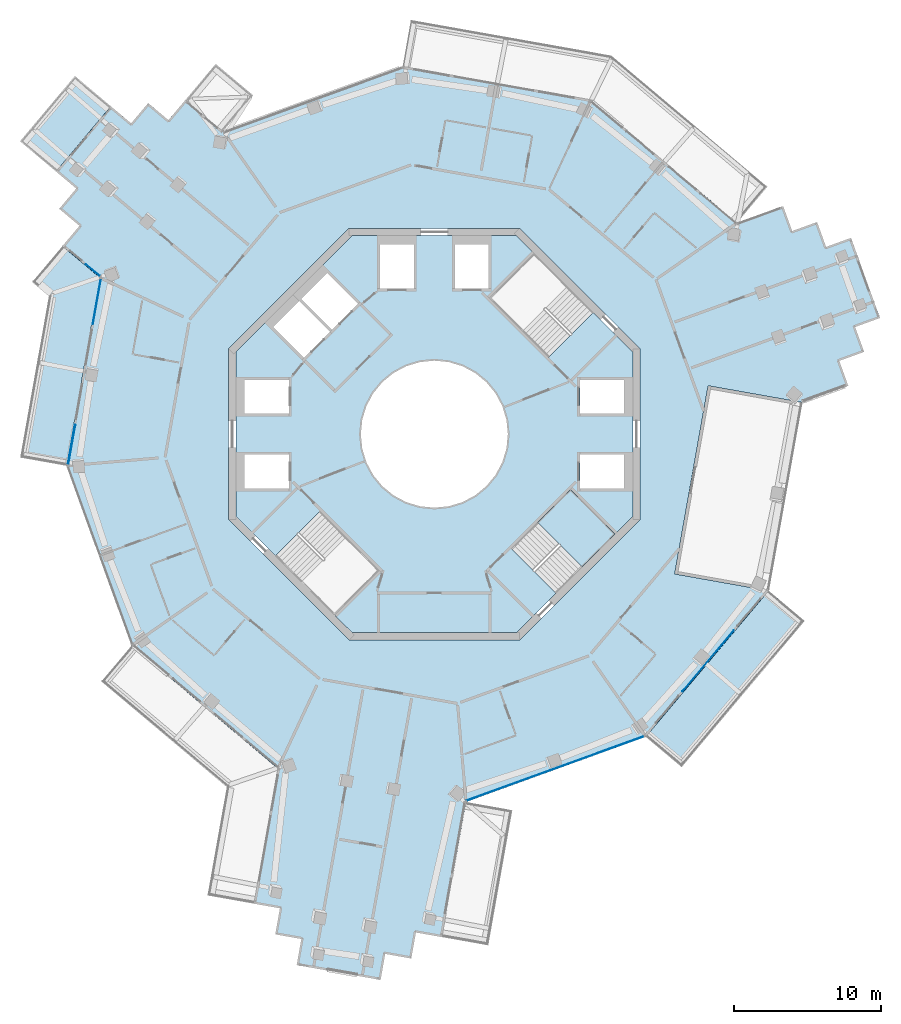
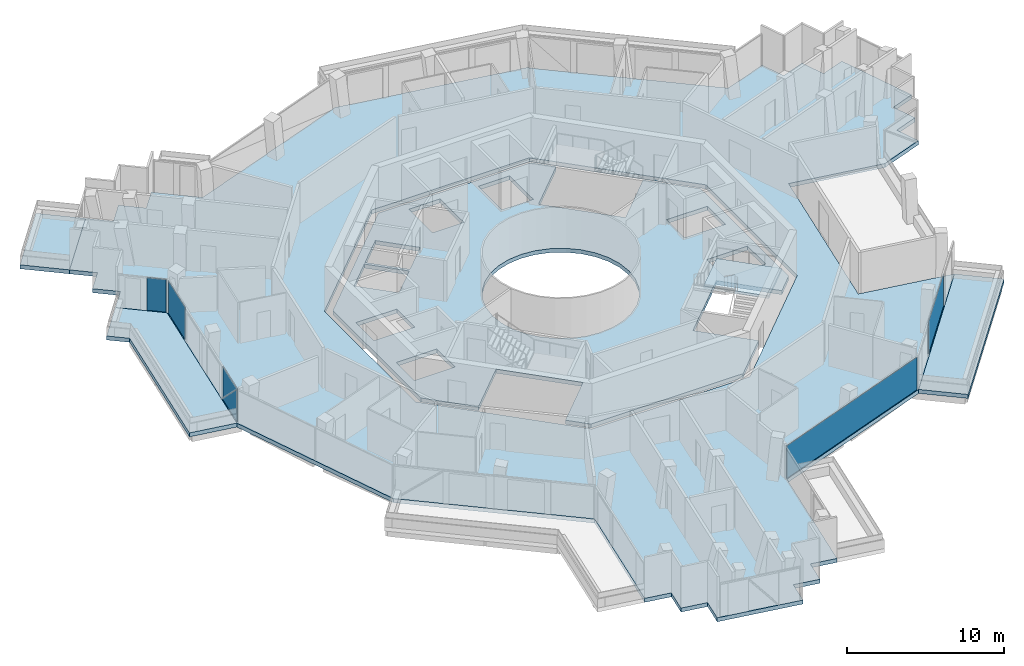
# One storey, part 11 of 22: 6 plates, 6 slabs, 5 elements without a shape of their own.
"""IFC4 building model written with IfcOpenShell, lengths in metres."""

import ifcopenshell
import ifcopenshell.guid

model = None  # the IFC model being written
_history = None  # IfcOwnerHistory: only IFC2X3 demands one
_inside = {}  # id of a spatial element -> (the spatial element, [elements in it])
_under = {}  # id of a project, library or spatial element -> (it, [spatial elements below it])
_declared = {}  # id of a project -> (the project, [libraries it declares])
_typed = {}  # id of a type object -> (the type object, [elements of that type])
_made_of = {}  # id of a material, layer set ... -> (it, [elements and type objects made of it])


def new_model(schema):
    """Start an empty IFC model of exactly this schema.

    Asked for "IFC4X3", IfcOpenShell would pick the latest addendum, in which some entities
    have other attributes; the version numbers below select the first issue.
    IFC2X3 requires an IfcOwnerHistory on every rooted entity: one is made here for all.
    """
    global model, _history
    if schema == "IFC4X3":
        model = ifcopenshell.file(schema_version=(4, 3, 0, 0))
    else:
        model = ifcopenshell.file(schema=schema)
    _inside.clear()
    _under.clear()
    _declared.clear()
    _typed.clear()
    _made_of.clear()
    _history = None
    if model.schema == "IFC2X3":
        org = make("IfcOrganization", Name="unknown")
        user = make(
            "IfcPersonAndOrganization",
            ThePerson=make("IfcPerson", FamilyName="unknown"),
            TheOrganization=org,
        )
        app = make(
            "IfcApplication",
            ApplicationDeveloper=org,
            Version="unknown",
            ApplicationFullName="unknown",
            ApplicationIdentifier="unknown",
        )
        _history = make(
            "IfcOwnerHistory",
            OwningUser=user,
            OwningApplication=app,
            ChangeAction="ADDED",
            CreationDate=0,
        )
    return model


def make(cls, **values):
    """One entity of the class cls with the attributes given. An attribute that is None is left unset."""
    return model.create_entity(
        cls, **{name: value for name, value in values.items() if value is not None}
    )


def rooted(cls, **values):
    """An entity with a GlobalId (a new one), such as an element, a storey or a relation."""
    return make(cls, GlobalId=ifcopenshell.guid.new(), OwnerHistory=_history, **values)


def si_unit(unit_type, name, prefix=None):
    """IfcSIUnit, for example si_unit("LENGTHUNIT", "METRE", prefix="MILLI")."""
    return make("IfcSIUnit", UnitType=unit_type, Prefix=prefix, Name=name)


def assignment(units):
    """IfcUnitAssignment: the units of a project."""
    return None if units is None else make("IfcUnitAssignment", Units=units)


def point(xyz):
    """IfcCartesianPoint."""
    return None if xyz is None else make("IfcCartesianPoint", Coordinates=xyz)


def direction(xyz):
    """IfcDirection."""
    return None if xyz is None else make("IfcDirection", DirectionRatios=xyz)


def frame(location, z_axis=None, x_axis=None):
    """IfcAxis2Placement3D, a coordinate frame: its origin and axes. An axis left out is left unset."""
    return make(
        "IfcAxis2Placement3D",
        Location=point(location),
        Axis=direction(z_axis),
        RefDirection=direction(x_axis),
    )


def frame_2d(location, x_axis=None):
    """IfcAxis2Placement2D, a coordinate frame in the plane: its origin and x axis."""
    return make(
        "IfcAxis2Placement2D", Location=point(location), RefDirection=direction(x_axis)
    )


def origin():
    """The frame at (0, 0, 0) with its axes left unset."""
    return frame((0.0, 0.0, 0.0))


def origin_2d():
    """The frame at (0, 0) in the plane with its x axis left unset."""
    return frame_2d((0.0, 0.0))


def place(relative_to, where):
    """IfcLocalPlacement: puts the frame where relative to a parent placement (None: the world)."""
    return make(
        "IfcLocalPlacement", PlacementRelTo=relative_to, RelativePlacement=where
    )


def context(
    kind, dimensions, precision=None, world=None, true_north=None, identifier=None
):
    """IfcGeometricRepresentationContext, for example the 3D "Model" context."""
    return make(
        "IfcGeometricRepresentationContext",
        ContextIdentifier=identifier,
        ContextType=kind,
        CoordinateSpaceDimension=dimensions,
        Precision=precision,
        WorldCoordinateSystem=world,
        TrueNorth=true_north,
    )


def subcontext(parent, identifier, kind, view, scale=None):
    """IfcGeometricRepresentationSubContext, for example "Body" below "Model"."""
    return make(
        "IfcGeometricRepresentationSubContext",
        ContextIdentifier=identifier,
        ContextType=kind,
        ParentContext=parent,
        TargetScale=scale,
        TargetView=view,
    )


def project(units=None, contexts=None):
    """IfcProject with its units and contexts."""
    return rooted(
        "IfcProject",
        Name="project",
        RepresentationContexts=contexts,
        UnitsInContext=assignment(units),
    )


def spatial(cls, under=None, at=None, **own):
    """A site, building, storey or space (cls), placed at a placement, below another one or the project."""
    s = rooted(cls, ObjectPlacement=at, **own)
    if under is not None:
        _under.setdefault(under.id(), (under, []))[1].append(s)
    return s


def polyline(points):
    """IfcPolyline through the points."""
    return make("IfcPolyline", Points=[point(p) for p in points])


def profile(cls, at=None, kind="AREA", **sizes):
    """A parametric profile (cls). Its sizes go by their IFC names, for example OverallWidth=200.0."""
    return make(cls, ProfileType=kind, Position=at, **sizes)


def rectangle(**sizes):
    """IfcRectangleProfileDef."""
    return profile("IfcRectangleProfileDef", **sizes)


def outline(outer, holes=None, kind="AREA"):
    """IfcArbitraryClosedProfileDef: a profile drawn as a closed curve; with holes, ...WithVoids."""
    if holes is None:
        return make("IfcArbitraryClosedProfileDef", ProfileType=kind, OuterCurve=outer)
    return make(
        "IfcArbitraryProfileDefWithVoids",
        ProfileType=kind,
        OuterCurve=outer,
        InnerCurves=holes,
    )


def extrude(swept, where, along, depth):
    """IfcExtrudedAreaSolid: the profile swept, set in the frame where, extruded along a direction by depth."""
    return make(
        "IfcExtrudedAreaSolid",
        SweptArea=swept,
        Position=where,
        ExtrudedDirection=direction(along),
        Depth=depth,
    )


def shape(context_of_items, identifier, shape_type, items):
    """IfcShapeRepresentation: the items that make up one representation, for example the "Body"."""
    return make(
        "IfcShapeRepresentation",
        ContextOfItems=context_of_items,
        RepresentationIdentifier=identifier,
        RepresentationType=shape_type,
        Items=items,
    )


def material(Name=None, Category=None):
    """IfcMaterial."""
    return make("IfcMaterial", Name=Name, Category=Category)


def layer(
    of_material, thickness, ventilated=None, Name=None, Category=None, Priority=None
):
    """IfcMaterialLayer: one layer of a wall or slab, of a material (None: an air gap)."""
    return make(
        "IfcMaterialLayer",
        Material=of_material,
        LayerThickness=thickness,
        IsVentilated=ventilated,
        Name=Name,
        Category=Category,
        Priority=Priority,
    )


def layer_set(layers, Name=None):
    """IfcMaterialLayerSet."""
    return make("IfcMaterialLayerSet", MaterialLayers=layers, LayerSetName=Name)


def made_of(thing, what):
    """Note that an element or type object is made of a material, layer set ...; save() writes the relation."""
    if what is not None:
        _made_of.setdefault(what.id(), (what, []))[1].append(thing)
    return thing


def type_object(cls, material=None, **own):
    """A type object (cls), such as IfcWallType, which elements share."""
    return made_of(rooted(cls, **own), material)


def element(
    cls,
    number,
    at=None,
    inside=None,
    cuts=None,
    type_object=None,
    material=None,
    context=None,
    identifier="Body",
    shape_type=None,
    held_by="IfcProductDefinitionShape",
    body=None,
    shapes=None,
    **own,
):
    """One element of the class cls, such as IfcWall. Its Tag is "e" and its number.

    at: its placement. inside: the storey or other place that contains it. cuts: it is an
    opening in that element (IfcRelVoidsElement). A single representation is given by context,
    identifier, shape_type and body (its items); several are given by shapes. held_by: the class
    of the entity that holds the representations. save() writes the other relations.
    """
    e = rooted(cls, Tag="e%d" % number, ObjectPlacement=at, **own)
    if body is not None:
        shapes = [shape(context, identifier, shape_type, body)]
    if shapes is not None:
        e.Representation = make(held_by, Representations=shapes)
    if inside is not None:
        _inside.setdefault(inside.id(), (inside, []))[1].append(e)
    if cuts is not None:
        rooted(
            "IfcRelVoidsElement", RelatingBuildingElement=cuts, RelatedOpeningElement=e
        )
    if type_object is not None:
        _typed.setdefault(type_object.id(), (type_object, []))[1].append(e)
    return made_of(e, material)


def aggregate(whole, parts):
    """IfcRelAggregates: a whole, such as a stair, and the parts it consists of."""
    return rooted("IfcRelAggregates", RelatingObject=whole, RelatedObjects=parts)


def save(model, path):
    """Write the relations noted so far, then the file.

    IfcRelAggregates (storeys below a building ...), IfcRelContainedInSpatialStructure (elements
    in a storey), IfcRelDefinesByType, IfcRelAssociatesMaterial and IfcRelDeclares: one each for
    every whole, place, type object, material and project.
    """
    for whole, parts in _under.values():
        aggregate(whole, parts)
    for where, things in _inside.values():
        rooted(
            "IfcRelContainedInSpatialStructure",
            RelatedElements=things,
            RelatingStructure=where,
        )
    for kind, things in _typed.values():
        rooted("IfcRelDefinesByType", RelatedObjects=things, RelatingType=kind)
    for what, things in _made_of.values():
        rooted("IfcRelAssociatesMaterial", RelatedObjects=things, RelatingMaterial=what)
    for by, libraries in _declared.values():
        rooted("IfcRelDeclares", RelatingContext=by, RelatedDefinitions=libraries)
    model.write(path)


model = new_model("IFC4")

# Units and contexts
model_context = context("Model", 3, precision=1e-05, world=origin(), true_north=direction((0.0, 1.0)))
body_context = subcontext(model_context, "Body", "Model", "MODEL_VIEW")
ifc_project = project(units=[si_unit("LENGTHUNIT", "METRE"), si_unit("AREAUNIT", "SQUARE_METRE"), si_unit("VOLUMEUNIT", "CUBIC_METRE"), si_unit("PLANEANGLEUNIT", "RADIAN"), si_unit("MASSUNIT", "GRAM", prefix="KILO")], contexts=[model_context])

# Site, building, storey
site_placement = place(None, origin())
site = spatial("IfcSite", under=ifc_project, at=site_placement, CompositionType="ELEMENT")
building_placement = place(site_placement, origin())
building = spatial("IfcBuilding", under=site, at=building_placement, Name="Verdalira Terraces Hotel", CompositionType="ELEMENT")
storey_placement = place(building_placement, frame((0.0, 0.0, 237.5)))
storey = spatial("IfcBuildingStorey", under=building, at=storey_placement, Name="L58", CompositionType="ELEMENT", Elevation=237.5)

# Slabs
ifc_material_1 = material(Name="Precast concrete C40/50", Category="concrete")
ifc_layer_1 = layer(ifc_material_1, 0.31005859375)
ifc_layer_set_1 = layer_set([ifc_layer_1], Name="Balcony deck 310")
slab_type_1 = type_object("IfcSlabType", Name="Balcony deck 310", PredefinedType="FLOOR", material=ifc_layer_set_1)
slab_1_placement = place(storey_placement, frame((0.0, 0.0, -0.310059)))
element("IfcSlab", 1, at=slab_1_placement, inside=storey, type_object=slab_type_1, Name="Balcony deck", PredefinedType="FLOOR", context=body_context, shape_type="SweptSolid", body=[
    extrude(outline(polyline([(-28.184082, 19.92627), (-25.735596, 17.865967), (-22.001221, 22.303711), (-24.449707, 24.364014), (-28.184082, 19.92627)])), origin(), (0.0, 0.0, 1.0), 0.310059),
])
slab_2_placement = place(storey_placement, frame((0.0, 0.0, -0.310059)))
element("IfcSlab", 2, at=slab_2_placement, inside=storey, type_object=slab_type_1, Name="Balcony deck", PredefinedType="FLOOR", context=body_context, shape_type="SweptSolid", body=[
    extrude(outline(polyline([(-26.220215, 9.386475), (-28.172119, -1.59375), (-25.021484, -2.153809), (-22.746338, 10.645508), (-25.299072, 12.793457), (-27.359375, 10.344971), (-26.220215, 9.386475)])), origin(), (0.0, 0.0, 1.0), 0.310059),
])
slab_3_placement = place(storey_placement, frame((0.0, 0.0, -0.310059)))
element("IfcSlab", 3, at=slab_3_placement, inside=storey, type_object=slab_type_1, Name="Balcony deck", PredefinedType="FLOOR", context=body_context, shape_type="SweptSolid", body=[
    extrude(outline(polyline([(25.194824, -12.705811), (22.746338, -10.645508), (14.376221, -20.592285), (16.824463, -22.652588), (25.194824, -12.705811)])), origin(), (0.0, 0.0, 1.0), 0.310059),
])

# Curtain wall, plates
ifc_material_2 = material(Name="Clear glass", Category="glass")
ifc_layer_2 = layer(ifc_material_2, 0.14990234375)
ifc_layer_set_2 = layer_set([ifc_layer_2], Name="CW1 curtain wall")
curtain_wall_type_1 = type_object("IfcCurtainWallType", Name="CW1 curtain wall", PredefinedType="NOTDEFINED", material=ifc_layer_set_2)
curtain_wall_1_placement = place(storey_placement, origin())
curtain_wall_1 = element("IfcCurtainWall", 4, at=curtain_wall_1_placement, inside=storey, type_object=curtain_wall_type_1, Name="CW1 curtain wall L58 edge 11", PredefinedType="NOTDEFINED")
ifc_material_3 = material(Name="Clear glass", Category="glass")
ifc_layer_3 = layer(ifc_material_3, 0.028076171875)
ifc_layer_set_3 = layer_set([ifc_layer_3], Name="CW1 glass unit 28")
plate_type_1 = type_object("IfcPlateType", Name="CW1 glass unit 28", PredefinedType="CURTAIN_PANEL", material=ifc_layer_set_3)
plate_1_placement = place(storey_placement, frame((-22.957764, 9.027588, 0.0), z_axis=(0.0, 0.0, 1.0), x_axis=(-0.175023059, -0.984564335, 0.0)))
plate_1 = element("IfcPlate", 5, at=plate_1_placement, type_object=plate_type_1, Name="CW1 glass unit", PredefinedType="CURTAIN_PANEL", context=body_context, shape_type="SweptSolid", body=[
    extrude(rectangle(XDim=3.139893, YDim=0.028076, at=origin_2d()), origin(), (0.0, 0.0, 1.0), 2.524902),
])
plate_2_placement = place(storey_placement, frame((-24.676514, -0.722656, 1.262451), z_axis=(-0.984564335, 0.175023059, 0.0), x_axis=(-0.175023059, -0.984564335, 0.0)))
plate_2 = element("IfcPlate", 6, at=plate_2_placement, type_object=plate_type_1, Name="CW1 glass unit", PredefinedType="CURTAIN_PANEL", context=body_context, shape_type="SweptSolid", body=[
    extrude(outline(polyline([(-1.369141, -1.262451), (1.369141, -1.262451), (1.369141, 1.262451), (-1.369141, -1.262451)])), origin(), (0.0, 0.0, 1.0), 0.028076),
])
plate_3_placement = place(storey_placement, frame((-24.647949, -0.727783, 1.262451), z_axis=(-0.984564335, 0.175023059, 0.0), x_axis=(-0.175023059, -0.984564335, 0.0)))
plate_3 = element("IfcPlate", 7, at=plate_3_placement, type_object=plate_type_1, Name="CW1 glass unit", PredefinedType="CURTAIN_PANEL", context=body_context, shape_type="SweptSolid", body=[
    extrude(outline(polyline([(-1.369141, -1.262451), (1.369141, 1.262451), (-1.369141, 1.262451), (-1.369141, -1.262451)])), origin(), (0.0, 0.0, 1.0), 0.028076),
])
aggregate(curtain_wall_1, [plate_1, plate_2, plate_3])

# Curtain wall, plate
curtain_wall_2_placement = place(storey_placement, origin())
curtain_wall_2 = element("IfcCurtainWall", 8, at=curtain_wall_2_placement, inside=storey, type_object=curtain_wall_type_1, Name="CW1 curtain wall L58 edge 25", PredefinedType="NOTDEFINED")
plate_4_placement = place(storey_placement, frame((8.220459, -22.743164, 0.0), z_axis=(0.0, 0.0, 1.0), x_axis=(0.940169255, 0.340707752, 0.0)))
plate_4 = element("IfcPlate", 9, at=plate_4_placement, type_object=plate_type_1, Name="CW1 glass unit", PredefinedType="CURTAIN_PANEL", context=body_context, shape_type="SweptSolid", body=[
    extrude(rectangle(XDim=12.839844, YDim=0.028076, at=origin_2d()), origin(), (0.0, 0.0, 1.0), 2.524902),
])
aggregate(curtain_wall_2, [plate_4])

curtain_wall_3_placement = place(storey_placement, origin())
curtain_wall_3 = element("IfcCurtainWall", 10, at=curtain_wall_3_placement, inside=storey, type_object=curtain_wall_type_1, Name="CW1 curtain wall L58 edge 26", PredefinedType="NOTDEFINED")
plate_5_placement = place(storey_placement, frame((18.619385, -15.43335, 0.0), z_axis=(0.0, 0.0, 1.0), x_axis=(0.643856583, 0.765146196, 0.0)))
plate_5 = element("IfcPlate", 11, at=plate_5_placement, type_object=plate_type_1, Name="CW1 glass unit", PredefinedType="CURTAIN_PANEL", context=body_context, shape_type="SweptSolid", body=[
    extrude(rectangle(XDim=5.432373, YDim=0.028076, at=origin_2d()), origin(), (0.0, 0.0, 1.0), 2.524902),
])
aggregate(curtain_wall_3, [plate_5])

ifc_material_4 = material(Name="Clear glass", Category="glass")
ifc_layer_4 = layer(ifc_material_4, 0.14990234375)
ifc_layer_set_4 = layer_set([ifc_layer_4], Name="CW2 curtain wall")
curtain_wall_type_2 = type_object("IfcCurtainWallType", Name="CW2 curtain wall", PredefinedType="NOTDEFINED", material=ifc_layer_set_4)
curtain_wall_4_placement = place(storey_placement, origin())
curtain_wall_4 = element("IfcCurtainWall", 12, at=curtain_wall_4_placement, inside=storey, type_object=curtain_wall_type_2, Name="CW2 curtain wall L58 edge 10", PredefinedType="NOTDEFINED")
ifc_material_5 = material(Name="Clear glass", Category="glass")
ifc_layer_5 = layer(ifc_material_5, 0.031982421875)
ifc_layer_set_5 = layer_set([ifc_layer_5], Name="CW2 glass unit 32")
plate_type_2 = type_object("IfcPlateType", Name="CW2 glass unit 32", PredefinedType="CURTAIN_PANEL", material=ifc_layer_set_5)
plate_6_placement = place(storey_placement, frame((-23.228271, 11.14917, 0.0), z_axis=(0.0, 0.0, 1.0), x_axis=(0.765146196, -0.643856583, 0.0)))
plate_6 = element("IfcPlate", 13, at=plate_6_placement, type_object=plate_type_2, Name="CW2 glass unit", PredefinedType="CURTAIN_PANEL", context=body_context, shape_type="SweptSolid", body=[
    extrude(rectangle(XDim=1.246338, YDim=0.031982, at=origin_2d()), origin(), (0.0, 0.0, 1.0), 2.524902),
])
aggregate(curtain_wall_4, [plate_6])

# Slab
ifc_material_6 = material(Name="Concrete C40", Category="concrete")
ifc_layer_6 = layer(ifc_material_6, 0.31005859375)
ifc_layer_set_6 = layer_set([ifc_layer_6], Name="Core floor slab 310 mm")
slab_type_2 = type_object("IfcSlabType", Name="Core floor slab 310 mm", PredefinedType="FLOOR", material=ifc_layer_set_6)
slab_4_placement = place(storey_placement, frame((0.0, 0.0, -0.310059)))
element("IfcSlab", 14, at=slab_4_placement, inside=storey, type_object=slab_type_2, Name="L58 core floor", PredefinedType="FLOOR", context=body_context, shape_type="SweptSolid", body=[
    extrude(outline(polyline([(-6.77417, -12.317871), (-3.719482, -9.263184), (-7.763672, -5.21875), (-10.818359, -8.273438), (-13.5, -5.591797), (-13.5, 5.591797), (-5.591797, 13.5), (5.591797, 13.5), (6.77417, 12.317871), (3.719482, 9.263184), (7.763672, 5.21875), (10.818359, 8.273438), (13.5, 5.591797), (13.5, -5.591797), (12.317871, -6.77417), (9.263184, -3.719482), (5.21875, -7.763672), (8.273438, -10.818359), (5.591797, -13.5), (-5.591797, -13.5), (-6.77417, -12.317871)]), holes=[polyline([(9.899902, -1.399902), (9.899902, -3.699951), (12.899902, -3.699951), (12.899902, -1.399902), (9.899902, -1.399902)]), polyline([(9.899902, 3.699951), (9.899902, 1.399902), (12.899902, 1.399902), (12.899902, 3.699951), (9.899902, 3.699951)]), polyline([(3.699951, 12.899902), (1.399902, 12.899902), (1.399902, 9.899902), (3.699951, 9.899902), (3.699951, 12.899902)]), polyline([(-1.399902, 12.899902), (-3.699951, 12.899902), (-3.699951, 9.899902), (-1.399902, 9.899902), (-1.399902, 12.899902)]), polyline([(-9.899902, 1.399902), (-9.899902, 3.699951), (-12.899902, 3.699951), (-12.899902, 1.399902), (-9.899902, 1.399902)]), polyline([(-9.899902, -3.699951), (-9.899902, -1.399902), (-12.899902, -1.399902), (-12.899902, -3.699951), (-9.899902, -3.699951)]), polyline([(-9.051025, 9.192383), (-6.965088, 7.106445), (-5.197266, 8.874268), (-7.283203, 10.960205), (-9.051025, 9.192383)]), polyline([(-9.192383, 9.051025), (-10.960205, 7.283203), (-8.874268, 5.197266), (-7.106445, 6.965088), (-9.192383, 9.051025)]), polyline([(3.5354, 3.5354), (2.777832, 4.157227), (1.91333, 4.619385), (0.975586, 4.903809), (0.0, 5.0), (-0.975586, 4.903809), (-1.91333, 4.619385), (-2.777832, 4.157227), (-3.5354, 3.5354), (-4.157227, 2.777832), (-4.619385, 1.91333), (-4.903809, 0.975586), (-5.0, 0.0), (-4.903809, -0.975586), (-4.619385, -1.91333), (-4.157227, -2.777832), (-3.5354, -3.5354), (-2.777832, -4.157227), (-1.91333, -4.619385), (-0.975586, -4.903809), (0.0, -5.0), (0.975586, -4.903809), (1.91333, -4.619385), (2.777832, -4.157227), (3.5354, -3.5354), (4.157227, -2.777832), (4.619385, -1.91333), (4.903809, -0.975586), (5.0, 0.0), (4.903809, 0.975586), (4.619385, 1.91333), (4.157227, 2.777832), (3.5354, 3.5354)])]), origin(), (0.0, 0.0, 1.0), 0.310059),
])

# Stair, slab
ifc_material_7 = material(Name="Concrete C40", Category="concrete")
stair_type = type_object("IfcStairType", Name="Core stair 20 risers 2100 mm wide", PredefinedType="HALF_TURN_STAIR", material=ifc_material_7)
stair_placement = place(storey_placement, origin())
stair = element("IfcStair", 15, at=stair_placement, inside=storey, type_object=stair_type, Name="L58 Exit stair ST3", PredefinedType="HALF_TURN_STAIR")
ifc_material_8 = material(Name="Concrete C40", Category="concrete")
ifc_layer_7 = layer(ifc_material_8, 0.199951171875)
ifc_layer_set_7 = layer_set([ifc_layer_7], Name="Core stair landing 200 mm")
slab_type_3 = type_object("IfcSlabType", Name="Core stair landing 200 mm", PredefinedType="LANDING", material=ifc_layer_set_7)
slab_5_placement = place(storey_placement, frame((0.0, 0.0, 1.550049)))
slab_5 = element("IfcSlab", 16, at=slab_5_placement, type_object=slab_type_3, Name="ST3 landing 1", PredefinedType="LANDING", context=body_context, shape_type="SweptSolid", body=[
    extrude(outline(polyline([(10.054688, -9.037109), (12.303711, -6.78833), (9.263184, -3.747559), (7.01416, -5.996582), (10.054688, -9.037109)])), origin(), (0.0, 0.0, 1.0), 0.199951),
])
aggregate(stair, [slab_5])

# Slab
ifc_material_9 = material(Name="Concrete C40", Category="concrete")
ifc_layer_8 = layer(ifc_material_9, 0.31005859375)
ifc_layer_set_8 = layer_set([ifc_layer_8], Name="Floor slab 310 C40")
slab_type_4 = type_object("IfcSlabType", Name="Floor slab 310 C40", PredefinedType="FLOOR", material=ifc_layer_set_8)
slab_6_placement = place(storey_placement, frame((0.0, 0.0, -0.310059)))
element("IfcSlab", 17, at=slab_6_placement, inside=storey, type_object=slab_type_4, Name="Floor slab L58", PredefinedType="FLOOR", context=body_context, shape_type="SweptSolid", body=[
    extrude(outline(polyline([(2.153809, -25.021484), (14.376221, -20.592285), (22.74585, -10.645996), (16.345947, -9.508301), (18.621582, 3.291992), (25.022217, 2.154297), (25.022217, 2.154053), (28.158203, 3.290527), (27.544922, 4.98291), (29.237305, 5.596191), (28.624023, 7.288574), (30.316406, 7.901855), (28.340088, 13.354736), (26.647705, 12.741455), (26.034668, 14.433838), (24.342285, 13.820557), (23.729004, 15.512695), (20.592285, 14.376221), (10.645508, 22.746094), (-2.153809, 25.021484), (-14.376221, 20.592285), (-16.928711, 22.740479), (-18.087891, 21.363281), (-19.465088, 22.522217), (-20.624023, 21.144775), (-22.001221, 22.303711), (-25.735596, 17.865967), (-24.358398, 16.707031), (-25.517334, 15.32959), (-24.139893, 14.170898), (-25.299072, 12.793457), (-22.746094, 10.645508), (-25.021484, -2.153809), (-20.592285, -14.376221), (-10.645508, -22.746094), (-12.279541, -31.938477), (-10.507324, -32.253418), (-10.822266, -34.025635), (-9.050049, -34.34082), (-9.36499, -36.112793), (-3.654785, -37.12793), (-3.3396, -35.355713), (-1.567383, -35.670898), (-1.252441, -33.898682), (0.519775, -34.213623), (2.153809, -25.021484)]), holes=[polyline([(5.799072, 14.0), (14.0, 5.799072), (14.0, -5.799072), (5.799072, -14.0), (-5.799072, -14.0), (-14.0, -5.799072), (-14.0, 5.799072), (-5.799072, 14.0), (5.799072, 14.0)])]), origin(), (0.0, 0.0, 1.0), 0.310059),
])

save(model, "model.ifc")
